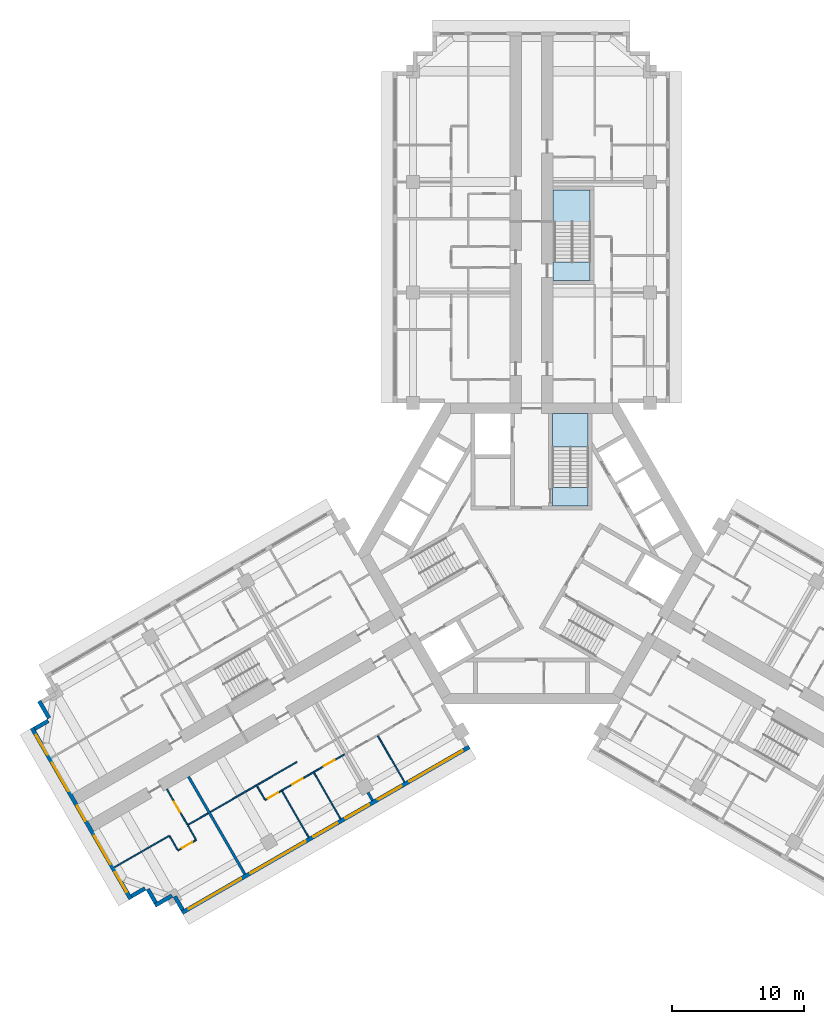
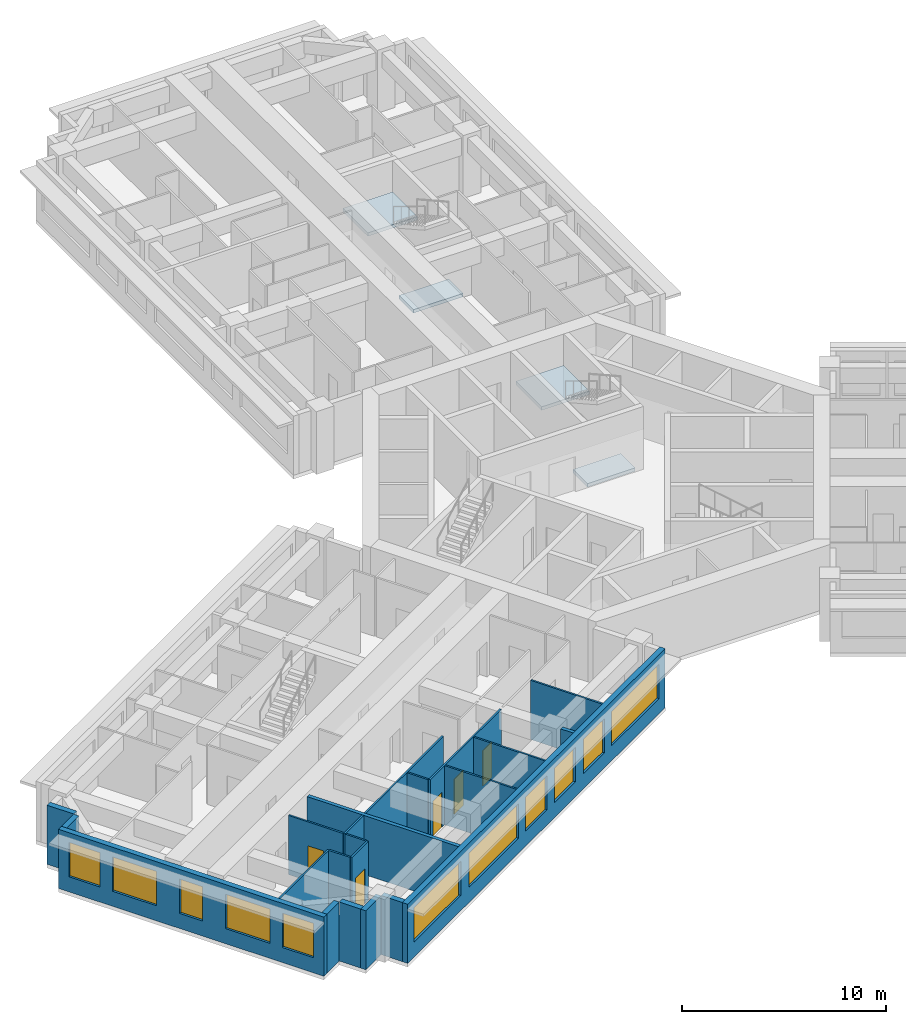
# One storey, part 2 of 14: 22 walls, 11 windows, 5 doors, 4 slabs, 16 openings, 2 elements without a shape of their own.
"""IFC4 building model written with IfcOpenShell, lengths in metres."""

from ifc_helpers import new_model, si_unit, direction, frame, frame_2d, origin, place, context, subcontext, project, spatial, polyline, rectangle, outline, extrude, material, layer, layer_set, type_object, element, fill, aggregate, save


model = new_model("IFC4")

# Units and contexts
model_context = context("Model", 3, precision=1e-05, world=origin(), true_north=direction((0.0, 1.0)))
body_context = subcontext(model_context, "Body", "Model", "MODEL_VIEW")
ifc_project = project(units=[si_unit("LENGTHUNIT", "METRE"), si_unit("AREAUNIT", "SQUARE_METRE"), si_unit("VOLUMEUNIT", "CUBIC_METRE"), si_unit("PLANEANGLEUNIT", "RADIAN"), si_unit("MASSUNIT", "GRAM", prefix="KILO")], contexts=[model_context])

# Site, building, storey
site_placement = place(None, origin())
site = spatial("IfcSite", under=ifc_project, at=site_placement, CompositionType="ELEMENT")
building_placement = place(site_placement, origin())
building = spatial("IfcBuilding", under=site, at=building_placement, Name="Impinga Residences", CompositionType="ELEMENT")
storey_placement = place(building_placement, frame((0.0, 0.0, 147.25)))
storey = spatial("IfcBuildingStorey", under=building, at=storey_placement, Name="L36", CompositionType="ELEMENT", Elevation=147.25)

# Stair, slabs
ifc_material_1 = material(Name="Concrete C40/50", Category="concrete")
stair_type_1 = type_object("IfcStairType", Name="STR core stair 3750 storey, 24 risers", PredefinedType="HALF_TURN_STAIR", material=ifc_material_1)
stair_1_placement = place(storey_placement, origin())
stair_1 = element("IfcStair", 1, at=stair_1_placement, inside=storey, type_object=stair_type_1, Name="Stair ST1 L36", PredefinedType="HALF_TURN_STAIR")
ifc_layer_1 = layer(ifc_material_1, 0.199951171875)
ifc_layer_set_1 = layer_set([ifc_layer_1], Name="Concrete C40/50")
slab_type = type_object("IfcSlabType", Name="LS1 stair landing 200", PredefinedType="LANDING", material=ifc_layer_set_1)
slab_1_placement = place(storey_placement, frame((0.0, 0.0, -0.199951171875)))
slab_1 = element("IfcSlab", 2, at=slab_1_placement, type_object=slab_type, Name="ST1 landing 1", PredefinedType="LANDING", context=body_context, shape_type="SweptSolid", body=[
    extrude(outline(polyline([(1.60009765625, 3.6298828125), (4.300048828125, 3.6298828125), (4.300048828125, 5.0400390625), (1.60009765625, 5.0400390625), (1.60009765625, 3.6298828125)])), origin(), (0.0, 0.0, 1.0), 0.199951171875),
])
slab_2_placement = place(storey_placement, frame((0.0, 0.0, 1.675048828125)))
slab_2 = element("IfcSlab", 3, at=slab_2_placement, type_object=slab_type, Name="ST1 landing 2", PredefinedType="LANDING", context=body_context, shape_type="SweptSolid", body=[
    extrude(outline(polyline([(1.60009765625, 8.10009765625), (4.300048828125, 8.10009765625), (4.300048828125, 10.631591796875), (1.60009765625, 10.631591796875), (1.60009765625, 8.10009765625)])), origin(), (0.0, 0.0, 1.0), 0.199951171875),
])
aggregate(stair_1, [slab_1, slab_2])

stair_type_2 = type_object("IfcStairType", Name="STR wing stair 3750 storey, 24 risers", PredefinedType="HALF_TURN_STAIR", material=ifc_material_1)
stair_2_placement = place(storey_placement, origin())
stair_2 = element("IfcStair", 4, at=stair_2_placement, inside=storey, type_object=stair_type_2, Name="Stair WS1 L36", PredefinedType="HALF_TURN_STAIR")
slab_3_placement = place(storey_placement, frame((0.0, 0.0, -0.199951171875)))
slab_3 = element("IfcSlab", 5, at=slab_3_placement, type_object=slab_type, Name="WS1 landing 1", PredefinedType="LANDING", context=body_context, shape_type="SweptSolid", body=[
    extrude(outline(polyline([(1.64990234375, 20.7314453125), (4.449951171875, 20.7314453125), (4.449951171875, 22.1416015625), (1.64990234375, 22.1416015625), (1.64990234375, 20.7314453125)])), origin(), (0.0, 0.0, 1.0), 0.199951171875),
])
slab_4_placement = place(storey_placement, frame((0.0, 0.0, 1.675048828125)))
slab_4 = element("IfcSlab", 6, at=slab_4_placement, type_object=slab_type, Name="WS1 landing 2", PredefinedType="LANDING", context=body_context, shape_type="SweptSolid", body=[
    extrude(outline(polyline([(1.64990234375, 25.201416015625), (4.449951171875, 25.201416015625), (4.449951171875, 27.631591796875), (1.64990234375, 27.631591796875), (1.64990234375, 25.201416015625)])), origin(), (0.0, 0.0, 1.0), 0.199951171875),
])
aggregate(stair_2, [slab_3, slab_4])

# Wall, openings, windows
ifc_material_2 = material(Name="Terracotta rainscreen on blockwork", Category="masonry")
ifc_layer_2 = layer(ifc_material_2, 0.300048828125)
ifc_layer_set_2 = layer_set([ifc_layer_2], Name="EW1 external wall, terracotta rainscreen on blockwork 300")
wall_type_1 = type_object("IfcWallType", Name="EW1 external wall, terracotta rainscreen on blockwork 300", PredefinedType="SOLIDWALL", material=ifc_layer_set_2)
wall_1_placement = place(storey_placement, frame((-4.72509765625, -14.67919921875, 0.0), z_axis=(0.0, 0.0, 1.0), x_axis=(-0.866026832479, -0.499997525421, 0.0)))
wall_1 = element("IfcWall", 7, at=wall_1_placement, inside=storey, type_object=wall_type_1, Name="External wall EW1 L36", PredefinedType="SOLIDWALL", context=body_context, shape_type="SweptSolid", body=[
    extrude(rectangle(XDim=25.199951171875, YDim=0.300048828125, at=frame_2d((12.60009765625, 0.0))), origin(), (0.0, 0.0, 1.0), 3.530029296875),
])
opening_1_placement = place(wall_1_placement, frame((0.60009765625, 0.0, 0.89990234375)))
opening_1 = element("IfcOpeningElement", 8, at=opening_1_placement, cuts=wall_1, Name="Opening W10", PredefinedType="OPENING", context=body_context, shape_type="SweptSolid", body=[
    extrude(rectangle(XDim=4.64990234375, YDim=2.050048828125, at=frame_2d((2.324951171875, 1.02490234375))), frame((0.0, 0.159912109375, 0.0), z_axis=(0.0, -1.0, 0.0), x_axis=(1.0, 0.0, 0.0)), (0.0, 0.0, 1.0), 0.320068359375),
])
opening_2_placement = place(wall_1_placement, frame((5.949951171875, 0.0, 0.89990234375)))
opening_2 = element("IfcOpeningElement", 9, at=opening_2_placement, cuts=wall_1, Name="Opening W14", PredefinedType="OPENING", context=body_context, shape_type="SweptSolid", body=[
    extrude(rectangle(XDim=2.050048828125, YDim=2.050048828125, at=frame_2d((1.02490234375, 1.02490234375))), frame((0.0, 0.159912109375, 0.0), z_axis=(0.0, -1.0, 0.0), x_axis=(1.0, 0.0, 0.0)), (0.0, 0.0, 1.0), 0.320068359375),
])
opening_3_placement = place(wall_1_placement, frame((8.800048828125, 0.0, 0.89990234375)))
opening_3 = element("IfcOpeningElement", 10, at=opening_3_placement, cuts=wall_1, Name="Opening W14", PredefinedType="OPENING", context=body_context, shape_type="SweptSolid", body=[
    extrude(rectangle(XDim=2.050048828125, YDim=2.050048828125, at=frame_2d((1.02490234375, 1.02490234375))), frame((0.0, 0.159912109375, 0.0), z_axis=(0.0, -1.0, 0.0), x_axis=(1.0, 0.0, 0.0)), (0.0, 0.0, 1.0), 0.320068359375),
])
opening_4_placement = place(wall_1_placement, frame((11.550048828125, 0.0, 0.89990234375)))
opening_4 = element("IfcOpeningElement", 11, at=opening_4_placement, cuts=wall_1, Name="Opening W9", PredefinedType="OPENING", context=body_context, shape_type="SweptSolid", body=[
    extrude(rectangle(XDim=2.10009765625, YDim=2.050048828125, at=frame_2d((1.050048828125, 1.02490234375))), frame((0.0, 0.159912109375, 0.0), z_axis=(0.0, -1.0, 0.0), x_axis=(1.0, 0.0, 0.0)), (0.0, 0.0, 1.0), 0.320068359375),
])
opening_5_placement = place(wall_1_placement, frame((14.35009765625, 0.0, 0.89990234375)))
opening_5 = element("IfcOpeningElement", 12, at=opening_5_placement, cuts=wall_1, Name="Opening W6", PredefinedType="OPENING", context=body_context, shape_type="SweptSolid", body=[
    extrude(rectangle(XDim=4.85009765625, YDim=2.050048828125, at=frame_2d((2.425048828125, 1.02490234375))), frame((0.0, 0.159912109375, 0.0), z_axis=(0.0, -1.0, 0.0), x_axis=(1.0, 0.0, 0.0)), (0.0, 0.0, 1.0), 0.320068359375),
])
opening_6_placement = place(wall_1_placement, frame((20.0, 0.0, 0.89990234375)))
opening_6 = element("IfcOpeningElement", 13, at=opening_6_placement, cuts=wall_1, Name="Opening W3", PredefinedType="OPENING", context=body_context, shape_type="SweptSolid", body=[
    extrude(rectangle(XDim=4.60009765625, YDim=2.050048828125, at=frame_2d((2.300048828125, 1.02490234375))), frame((0.0, 0.159912109375, 0.0), z_axis=(0.0, -1.0, 0.0), x_axis=(1.0, 0.0, 0.0)), (0.0, 0.0, 1.0), 0.320068359375),
])
ifc_material_3 = material(Name="Aluminium window, clear double glazing", Category="aluminium")
window_type_1 = type_object("IfcWindowType", Name="W10 ribbon window 4650x2050", PartitioningType="SINGLE_PANEL", PredefinedType="WINDOW", material=ifc_material_3)
window_1_placement = place(opening_1_placement, origin())
window_1 = element("IfcWindow", 14, at=window_1_placement, inside=storey, type_object=window_type_1, Name="Window L36", OverallHeight=2.050048828125, OverallWidth=4.64990234375, PartitioningType="SINGLE_PANEL", PredefinedType="WINDOW", context=body_context, shape_type="SweptSolid", body=[
    extrude(rectangle(XDim=4.64990234375, YDim=2.050048828125, at=frame_2d((2.324951171875, 1.02490234375))), frame((0.0, 0.030029296875, 0.0), z_axis=(0.0, -1.0, 0.0), x_axis=(1.0, 0.0, 0.0)), (0.0, 0.0, 1.0), 0.06005859375),
])
fill(opening_1, window_1)
window_type_2 = type_object("IfcWindowType", Name="W14 ribbon window 2050x2050", PartitioningType="SINGLE_PANEL", PredefinedType="WINDOW", material=ifc_material_3)
window_2_placement = place(opening_2_placement, origin())
window_2 = element("IfcWindow", 15, at=window_2_placement, inside=storey, type_object=window_type_2, Name="Window L36", OverallHeight=2.050048828125, OverallWidth=2.050048828125, PartitioningType="SINGLE_PANEL", PredefinedType="WINDOW", context=body_context, shape_type="SweptSolid", body=[
    extrude(rectangle(XDim=2.050048828125, YDim=2.050048828125, at=frame_2d((1.02490234375, 1.02490234375))), frame((0.0, 0.030029296875, 0.0), z_axis=(0.0, -1.0, 0.0), x_axis=(1.0, 0.0, 0.0)), (0.0, 0.0, 1.0), 0.06005859375),
])
fill(opening_2, window_2)
window_3_placement = place(opening_3_placement, origin())
window_3 = element("IfcWindow", 16, at=window_3_placement, inside=storey, type_object=window_type_2, Name="Window L36", OverallHeight=2.050048828125, OverallWidth=2.050048828125, PartitioningType="SINGLE_PANEL", PredefinedType="WINDOW", context=body_context, shape_type="SweptSolid", body=[
    extrude(rectangle(XDim=2.050048828125, YDim=2.050048828125, at=frame_2d((1.02490234375, 1.02490234375))), frame((0.0, 0.030029296875, 0.0), z_axis=(0.0, -1.0, 0.0), x_axis=(1.0, 0.0, 0.0)), (0.0, 0.0, 1.0), 0.06005859375),
])
fill(opening_3, window_3)
window_type_3 = type_object("IfcWindowType", Name="W3 ribbon window 4600x2050", PartitioningType="SINGLE_PANEL", PredefinedType="WINDOW", material=ifc_material_3)
window_4_placement = place(opening_6_placement, origin())
window_4 = element("IfcWindow", 17, at=window_4_placement, inside=storey, type_object=window_type_3, Name="Window L36", OverallHeight=2.050048828125, OverallWidth=4.60009765625, PartitioningType="SINGLE_PANEL", PredefinedType="WINDOW", context=body_context, shape_type="SweptSolid", body=[
    extrude(rectangle(XDim=4.60009765625, YDim=2.050048828125, at=frame_2d((2.300048828125, 1.02490234375))), frame((0.0, 0.030029296875, 0.0), z_axis=(0.0, -1.0, 0.0), x_axis=(1.0, 0.0, 0.0)), (0.0, 0.0, 1.0), 0.06005859375),
])
fill(opening_6, window_4)
window_type_4 = type_object("IfcWindowType", Name="W6 ribbon window 4850x2050", PartitioningType="SINGLE_PANEL", PredefinedType="WINDOW", material=ifc_material_3)
window_5_placement = place(opening_5_placement, origin())
window_5 = element("IfcWindow", 18, at=window_5_placement, inside=storey, type_object=window_type_4, Name="Window L36", OverallHeight=2.050048828125, OverallWidth=4.85009765625, PartitioningType="SINGLE_PANEL", PredefinedType="WINDOW", context=body_context, shape_type="SweptSolid", body=[
    extrude(rectangle(XDim=4.85009765625, YDim=2.050048828125, at=frame_2d((2.425048828125, 1.02490234375))), frame((0.0, 0.030029296875, 0.0), z_axis=(0.0, -1.0, 0.0), x_axis=(1.0, 0.0, 0.0)), (0.0, 0.0, 1.0), 0.06005859375),
])
fill(opening_5, window_5)
window_type_5 = type_object("IfcWindowType", Name="W9 ribbon window 2100x2050", PartitioningType="SINGLE_PANEL", PredefinedType="WINDOW", material=ifc_material_3)
window_6_placement = place(opening_4_placement, origin())
window_6 = element("IfcWindow", 19, at=window_6_placement, inside=storey, type_object=window_type_5, Name="Window L36", OverallHeight=2.050048828125, OverallWidth=2.10009765625, PartitioningType="SINGLE_PANEL", PredefinedType="WINDOW", context=body_context, shape_type="SweptSolid", body=[
    extrude(rectangle(XDim=2.10009765625, YDim=2.050048828125, at=frame_2d((1.050048828125, 1.02490234375))), frame((0.0, 0.030029296875, 0.0), z_axis=(0.0, -1.0, 0.0), x_axis=(1.0, 0.0, 0.0)), (0.0, 0.0, 1.0), 0.06005859375),
])
fill(opening_4, window_6)

# Walls
wall_2_placement = place(storey_placement, frame((-26.493896484375, -27.07421875, 0.0), z_axis=(0.0, 0.0, 1.0), x_axis=(-0.500033551112, 0.866006032174, 0.0)))
element("IfcWall", 20, at=wall_2_placement, inside=storey, type_object=wall_type_1, Name="External wall EW1 L36", PredefinedType="SOLIDWALL", context=body_context, shape_type="SweptSolid", body=[
    extrude(rectangle(XDim=1.2001953125, YDim=0.300048828125, at=frame_2d((0.60009765625, 0.0))), origin(), (0.0, 0.0, 1.0), 3.530029296875),
])
wall_3_placement = place(storey_placement, frame((-27.30322265625, -25.982666015625, 0.0), z_axis=(0.0, 0.0, 1.0), x_axis=(-0.866074087889, -0.499915667175, 0.0)))
element("IfcWall", 21, at=wall_3_placement, inside=storey, type_object=wall_type_1, Name="External wall EW1 L36", PredefinedType="SOLIDWALL", context=body_context, shape_type="SweptSolid", body=[
    extrude(rectangle(XDim=1.494873046875, YDim=0.300048828125, at=frame_2d((0.74755859375, 0.0))), origin(), (0.0, 0.0, 1.0), 3.530029296875),
])
wall_4_placement = place(storey_placement, frame((-28.54296875, -26.525146484375, 0.0), z_axis=(0.0, 0.0, 1.0), x_axis=(-0.500033551112, 0.866006032174, 0.0)))
element("IfcWall", 22, at=wall_4_placement, inside=storey, type_object=wall_type_1, Name="External wall EW1 L36", PredefinedType="SOLIDWALL", context=body_context, shape_type="SweptSolid", body=[
    extrude(rectangle(XDim=1.2001953125, YDim=0.300048828125, at=frame_2d((0.60009765625, 0.0))), origin(), (0.0, 0.0, 1.0), 3.530029296875),
])
wall_5_placement = place(storey_placement, frame((-29.352294921875, -25.43359375, 0.0), z_axis=(0.0, 0.0, 1.0), x_axis=(-0.866059708757, -0.499940577336, 0.0)))
element("IfcWall", 23, at=wall_5_placement, inside=storey, type_object=wall_type_1, Name="External wall EW1 L36", PredefinedType="SOLIDWALL", context=body_context, shape_type="SweptSolid", body=[
    extrude(rectangle(XDim=1.195068359375, YDim=0.300048828125, at=frame_2d((0.59765625, 0.0))), origin(), (0.0, 0.0, 1.0), 3.530029296875),
])

# Wall, openings, windows
wall_6_placement = place(storey_placement, frame((-30.44189453125, -26.23583984375, 0.0), z_axis=(0.0, 0.0, 1.0), x_axis=(-0.500004234368, 0.866022959057, 0.0)))
wall_6 = element("IfcWall", 24, at=wall_6_placement, inside=storey, type_object=wall_type_1, Name="External wall EW1 L36", PredefinedType="SOLIDWALL", context=body_context, shape_type="SweptSolid", body=[
    extrude(rectangle(XDim=14.999755859375, YDim=0.300048828125, at=frame_2d((7.5, 0.0))), origin(), (0.0, 0.0, 1.0), 3.530029296875),
])
opening_7_placement = place(wall_6_placement, frame((0.60009765625, 0.0, 0.89990234375)))
opening_7 = element("IfcOpeningElement", 25, at=opening_7_placement, cuts=wall_6, Name="Opening W1", PredefinedType="OPENING", context=body_context, shape_type="SweptSolid", body=[
    extrude(rectangle(XDim=1.75, YDim=2.050048828125, at=frame_2d((0.875, 1.02490234375))), frame((0.0, 0.159912109375, 0.0), z_axis=(0.0, -1.0, 0.0), x_axis=(1.0, 0.0, 0.0)), (0.0, 0.0, 1.0), 0.320068359375),
])
opening_8_placement = place(wall_6_placement, frame((3.050048828125, 0.0, 0.89990234375)))
opening_8 = element("IfcOpeningElement", 26, at=opening_8_placement, cuts=wall_6, Name="Opening W2", PredefinedType="OPENING", context=body_context, shape_type="SweptSolid", body=[
    extrude(rectangle(XDim=2.5, YDim=2.050048828125, at=frame_2d((1.25, 1.02490234375))), frame((0.0, 0.159912109375, 0.0), z_axis=(0.0, -1.0, 0.0), x_axis=(1.0, 0.0, 0.0)), (0.0, 0.0, 1.0), 0.320068359375),
])
opening_9_placement = place(wall_6_placement, frame((6.85009765625, 0.0, 0.89990234375)))
opening_9 = element("IfcOpeningElement", 27, at=opening_9_placement, cuts=wall_6, Name="Opening W17", PredefinedType="OPENING", context=body_context, shape_type="SweptSolid", body=[
    extrude(rectangle(XDim=1.300048828125, YDim=2.050048828125, at=frame_2d((0.64990234375, 1.02490234375))), frame((0.0, 0.159912109375, 0.0), z_axis=(0.0, -1.0, 0.0), x_axis=(1.0, 0.0, 0.0)), (0.0, 0.0, 1.0), 0.320068359375),
])
opening_10_placement = place(wall_6_placement, frame((9.449951171875, 0.0, 0.89990234375)))
opening_10 = element("IfcOpeningElement", 28, at=opening_10_placement, cuts=wall_6, Name="Opening W2", PredefinedType="OPENING", context=body_context, shape_type="SweptSolid", body=[
    extrude(rectangle(XDim=2.5, YDim=2.050048828125, at=frame_2d((1.25, 1.02490234375))), frame((0.0, 0.159912109375, 0.0), z_axis=(0.0, -1.0, 0.0), x_axis=(1.0, 0.0, 0.0)), (0.0, 0.0, 1.0), 0.320068359375),
])
opening_11_placement = place(wall_6_placement, frame((12.64990234375, 0.0, 0.89990234375)))
opening_11 = element("IfcOpeningElement", 29, at=opening_11_placement, cuts=wall_6, Name="Opening W1", PredefinedType="OPENING", context=body_context, shape_type="SweptSolid", body=[
    extrude(rectangle(XDim=1.75, YDim=2.050048828125, at=frame_2d((0.875, 1.02490234375))), frame((0.0, 0.159912109375, 0.0), z_axis=(0.0, -1.0, 0.0), x_axis=(1.0, 0.0, 0.0)), (0.0, 0.0, 1.0), 0.320068359375),
])
window_type_6 = type_object("IfcWindowType", Name="W1 ribbon window 1750x2050", PartitioningType="SINGLE_PANEL", PredefinedType="WINDOW", material=ifc_material_3)
window_7_placement = place(opening_7_placement, origin())
window_7 = element("IfcWindow", 30, at=window_7_placement, inside=storey, type_object=window_type_6, Name="Window L36", OverallHeight=2.050048828125, OverallWidth=1.75, PartitioningType="SINGLE_PANEL", PredefinedType="WINDOW", context=body_context, shape_type="SweptSolid", body=[
    extrude(rectangle(XDim=1.75, YDim=2.050048828125, at=frame_2d((0.875, 1.02490234375))), frame((0.0, 0.030029296875, 0.0), z_axis=(0.0, -1.0, 0.0), x_axis=(1.0, 0.0, 0.0)), (0.0, 0.0, 1.0), 0.06005859375),
])
fill(opening_7, window_7)
window_8_placement = place(opening_11_placement, origin())
window_8 = element("IfcWindow", 31, at=window_8_placement, inside=storey, type_object=window_type_6, Name="Window L36", OverallHeight=2.050048828125, OverallWidth=1.75, PartitioningType="SINGLE_PANEL", PredefinedType="WINDOW", context=body_context, shape_type="SweptSolid", body=[
    extrude(rectangle(XDim=1.75, YDim=2.050048828125, at=frame_2d((0.875, 1.02490234375))), frame((0.0, 0.030029296875, 0.0), z_axis=(0.0, -1.0, 0.0), x_axis=(1.0, 0.0, 0.0)), (0.0, 0.0, 1.0), 0.06005859375),
])
fill(opening_11, window_8)
window_type_7 = type_object("IfcWindowType", Name="W17 ribbon window 1300x2050", PartitioningType="SINGLE_PANEL", PredefinedType="WINDOW", material=ifc_material_3)
window_9_placement = place(opening_9_placement, origin())
window_9 = element("IfcWindow", 32, at=window_9_placement, inside=storey, type_object=window_type_7, Name="Window L36", OverallHeight=2.050048828125, OverallWidth=1.300048828125, PartitioningType="SINGLE_PANEL", PredefinedType="WINDOW", context=body_context, shape_type="SweptSolid", body=[
    extrude(rectangle(XDim=1.300048828125, YDim=2.050048828125, at=frame_2d((0.64990234375, 1.02490234375))), frame((0.0, 0.030029296875, 0.0), z_axis=(0.0, -1.0, 0.0), x_axis=(1.0, 0.0, 0.0)), (0.0, 0.0, 1.0), 0.06005859375),
])
fill(opening_9, window_9)
window_type_8 = type_object("IfcWindowType", Name="W2 ribbon window 2500x2050", PartitioningType="SINGLE_PANEL", PredefinedType="WINDOW", material=ifc_material_3)
window_10_placement = place(opening_8_placement, origin())
window_10 = element("IfcWindow", 33, at=window_10_placement, inside=storey, type_object=window_type_8, Name="Window L36", OverallHeight=2.050048828125, OverallWidth=2.5, PartitioningType="SINGLE_PANEL", PredefinedType="WINDOW", context=body_context, shape_type="SweptSolid", body=[
    extrude(rectangle(XDim=2.5, YDim=2.050048828125, at=frame_2d((1.25, 1.02490234375))), frame((0.0, 0.030029296875, 0.0), z_axis=(0.0, -1.0, 0.0), x_axis=(1.0, 0.0, 0.0)), (0.0, 0.0, 1.0), 0.06005859375),
])
fill(opening_8, window_10)
window_11_placement = place(opening_10_placement, origin())
window_11 = element("IfcWindow", 34, at=window_11_placement, inside=storey, type_object=window_type_8, Name="Window L36", OverallHeight=2.050048828125, OverallWidth=2.5, PartitioningType="SINGLE_PANEL", PredefinedType="WINDOW", context=body_context, shape_type="SweptSolid", body=[
    extrude(rectangle(XDim=2.5, YDim=2.050048828125, at=frame_2d((1.25, 1.02490234375))), frame((0.0, 0.030029296875, 0.0), z_axis=(0.0, -1.0, 0.0), x_axis=(1.0, 0.0, 0.0)), (0.0, 0.0, 1.0), 0.06005859375),
])
fill(opening_10, window_11)

# Walls
wall_7_placement = place(storey_placement, frame((-37.737060546875, -13.300537109375, 0.0), z_axis=(0.0, 0.0, 1.0), x_axis=(0.865971243484, 0.500093796661, 0.0)))
element("IfcWall", 35, at=wall_7_placement, inside=storey, type_object=wall_type_1, Name="External wall EW1 L36", PredefinedType="SOLIDWALL", context=body_context, shape_type="SweptSolid", body=[
    extrude(rectangle(XDim=1.195068359375, YDim=0.300048828125, at=frame_2d((0.59765625, 0.0))), origin(), (0.0, 0.0, 1.0), 3.530029296875),
])
wall_8_placement = place(storey_placement, frame((-36.64306640625, -12.49560546875, 0.0), z_axis=(0.0, 0.0, 1.0), x_axis=(-0.499990139034, 0.866031096941, 0.0)))
element("IfcWall", 36, at=wall_8_placement, inside=storey, type_object=wall_type_1, Name="External wall EW1 L36", PredefinedType="SOLIDWALL", context=body_context, shape_type="SweptSolid", body=[
    extrude(rectangle(XDim=1.5, YDim=0.300048828125, at=frame_2d((0.75, 0.0))), origin(), (0.0, 0.0, 1.0), 3.530029296875),
])
ifc_material_4 = material(Name="Gypsum board on steel studs", Category="steel")
ifc_layer_3 = layer(ifc_material_4, 0.10009765625)
ifc_layer_set_3 = layer_set([ifc_layer_3], Name="Gypsum board on steel studs")
wall_type_2 = type_object("IfcWallType", Name="IP1 partition 100", PredefinedType="PARTITIONING", material=ifc_layer_set_3)
wall_9_placement = place(storey_placement, frame((-11.6748046875, -13.841796875, 0.0), z_axis=(0.0, 0.0, 1.0), x_axis=(0.500035537042, -0.866004885491, 0.0)))
element("IfcWall", 37, at=wall_9_placement, inside=storey, type_object=wall_type_2, Name="Partition L36-WA1:OB1", PredefinedType="PARTITIONING", context=body_context, shape_type="SweptSolid", body=[
    extrude(rectangle(XDim=4.050048828125, YDim=0.10009765625, at=frame_2d((2.02490234375, 0.0))), origin(), (0.0, 0.0, 1.0), 3.530029296875),
])
wall_10_placement = place(storey_placement, frame((-17.8056640625, -15.82275390625, 0.0), z_axis=(0.0, 0.0, 1.0), x_axis=(-0.866022425744, -0.500005158081, 0.0)))
element("IfcWall", 38, at=wall_10_placement, inside=storey, type_object=wall_type_2, Name="Partition L36-WA2:DIV1", PredefinedType="PARTITIONING", context=body_context, shape_type="SweptSolid", body=[
    extrude(rectangle(XDim=7.60009765625, YDim=0.10009765625, at=frame_2d((3.800048828125, 0.0))), origin(), (0.0, 0.0, 1.0), 3.530029296875),
])

# Wall, openings, doors
wall_11_placement = place(storey_placement, frame((-14.211181640625, -15.24853515625, 0.0), z_axis=(0.0, 0.0, 1.0), x_axis=(-0.866016523273, -0.500015381182, 0.0)))
wall_11 = element("IfcWall", 39, at=wall_11_placement, inside=storey, type_object=wall_type_2, Name="Partition L36-WA2:STRIP", PredefinedType="PARTITIONING", context=body_context, shape_type="SweptSolid", body=[
    extrude(rectangle(XDim=6.949951171875, YDim=0.10009765625, at=frame_2d((3.47509765625, 0.0))), origin(), (0.0, 0.0, 1.0), 3.530029296875),
])
opening_12_placement = place(wall_11_placement, frame((0.875, 0.0, 0.0)))
opening_12 = element("IfcOpeningElement", 40, at=opening_12_placement, cuts=wall_11, Name="Opening D2", PredefinedType="OPENING", context=body_context, shape_type="SweptSolid", body=[
    extrude(rectangle(XDim=0.89990234375, YDim=2.10009765625, at=frame_2d((0.449951171875, 1.050048828125))), frame((0.0, 0.06005859375, 0.0), z_axis=(0.0, -1.0, 0.0), x_axis=(1.0, 0.0, 0.0)), (0.0, 0.0, 1.0), 0.1201171875),
])
opening_13_placement = place(wall_11_placement, frame((3.64990234375, 0.0, 0.0)))
opening_13 = element("IfcOpeningElement", 41, at=opening_13_placement, cuts=wall_11, Name="Opening D2", PredefinedType="OPENING", context=body_context, shape_type="SweptSolid", body=[
    extrude(rectangle(XDim=0.89990234375, YDim=2.10009765625, at=frame_2d((0.449951171875, 1.050048828125))), frame((0.0, 0.06005859375, 0.0), z_axis=(0.0, -1.0, 0.0), x_axis=(1.0, 0.0, 0.0)), (0.0, 0.0, 1.0), 0.1201171875),
])
opening_14_placement = place(wall_11_placement, frame((5.800048828125, 0.0, 0.0)))
opening_14 = element("IfcOpeningElement", 42, at=opening_14_placement, cuts=wall_11, Name="Opening D2", PredefinedType="OPENING", context=body_context, shape_type="SweptSolid", body=[
    extrude(rectangle(XDim=0.89990234375, YDim=2.10009765625, at=frame_2d((0.449951171875, 1.050048828125))), frame((0.0, 0.06005859375, 0.0), z_axis=(0.0, -1.0, 0.0), x_axis=(1.0, 0.0, 0.0)), (0.0, 0.0, 1.0), 0.1201171875),
])
ifc_material_5 = material(Name="Timber door set", Category="wood")
door_type = type_object("IfcDoorType", Name="D2 internal door 900x2100", OperationType="SINGLE_SWING_LEFT", PredefinedType="DOOR", material=ifc_material_5)
door_1_placement = place(opening_12_placement, origin())
door_1 = element("IfcDoor", 43, at=door_1_placement, inside=storey, type_object=door_type, Name="Apartment L36-WA2 room door", OperationType="SINGLE_SWING_LEFT", OverallHeight=2.10009765625, OverallWidth=0.89990234375, PredefinedType="DOOR", context=body_context, shape_type="SweptSolid", body=[
    extrude(rectangle(XDim=0.89990234375, YDim=2.10009765625, at=frame_2d((0.449951171875, 1.050048828125))), frame((0.0, 0.02490234375, 0.0), z_axis=(0.0, -1.0, 0.0), x_axis=(1.0, 0.0, 0.0)), (0.0, 0.0, 1.0), 0.050048828125),
])
fill(opening_12, door_1)
door_2_placement = place(opening_13_placement, origin())
door_2 = element("IfcDoor", 44, at=door_2_placement, inside=storey, type_object=door_type, Name="Apartment L36-WA2 room door", OperationType="SINGLE_SWING_RIGHT", OverallHeight=2.10009765625, OverallWidth=0.89990234375, PredefinedType="DOOR", context=body_context, shape_type="SweptSolid", body=[
    extrude(rectangle(XDim=0.89990234375, YDim=2.10009765625, at=frame_2d((0.449951171875, 1.050048828125))), frame((0.0, 0.02490234375, 0.0), z_axis=(0.0, -1.0, 0.0), x_axis=(1.0, 0.0, 0.0)), (0.0, 0.0, 1.0), 0.050048828125),
])
fill(opening_13, door_2)
door_3_placement = place(opening_14_placement, origin())
door_3 = element("IfcDoor", 45, at=door_3_placement, inside=storey, type_object=door_type, Name="Apartment L36-WA2 room door", OperationType="SINGLE_SWING_RIGHT", OverallHeight=2.10009765625, OverallWidth=0.89990234375, PredefinedType="DOOR", context=body_context, shape_type="SweptSolid", body=[
    extrude(rectangle(XDim=0.89990234375, YDim=2.10009765625, at=frame_2d((0.449951171875, 1.050048828125))), frame((0.0, 0.02490234375, 0.0), z_axis=(0.0, -1.0, 0.0), x_axis=(1.0, 0.0, 0.0)), (0.0, 0.0, 1.0), 0.050048828125),
])
fill(opening_14, door_3)

# Walls
wall_12_placement = place(storey_placement, frame((-20.85498046875, -17.640869140625, 0.0), z_axis=(0.0, 0.0, 1.0), x_axis=(0.499880961361, -0.866094119867, 0.0)))
element("IfcWall", 46, at=wall_12_placement, inside=storey, type_object=wall_type_2, Name="Partition L36-WA2:SE1", PredefinedType="PARTITIONING", context=body_context, shape_type="SweptSolid", body=[
    extrude(rectangle(XDim=1.199951171875, YDim=0.10009765625, at=frame_2d((0.60009765625, 0.0))), origin(), (0.0, 0.0, 1.0), 3.530029296875),
])
wall_13_placement = place(storey_placement, frame((-16.5244140625, -16.641845703125, 0.0), z_axis=(0.0, 0.0, 1.0), x_axis=(0.499990325971, -0.866030989016, 0.0)))
element("IfcWall", 47, at=wall_13_placement, inside=storey, type_object=wall_type_2, Name="Partition L36-WA2:OB1", PredefinedType="PARTITIONING", context=body_context, shape_type="SweptSolid", body=[
    extrude(rectangle(XDim=4.0498046875, YDim=0.10009765625, at=frame_2d((2.02490234375, 0.0))), origin(), (0.0, 0.0, 1.0), 3.530029296875),
])
wall_14_placement = place(storey_placement, frame((-18.949462890625, -18.041748046875, 0.0), z_axis=(0.0, 0.0, 1.0), x_axis=(0.50000943426, -0.866019956843, 0.0)))
element("IfcWall", 48, at=wall_14_placement, inside=storey, type_object=wall_type_2, Name="Partition L36-WA2:OB2", PredefinedType="PARTITIONING", context=body_context, shape_type="SweptSolid", body=[
    extrude(rectangle(XDim=4.05029296875, YDim=0.10009765625, at=frame_2d((2.025146484375, 0.0))), origin(), (0.0, 0.0, 1.0), 3.530029296875),
])
wall_15_placement = place(storey_placement, frame((-24.560791015625, -19.72265625, 0.0), z_axis=(0.0, 0.0, 1.0), x_axis=(-0.865989075817, -0.500062916607, 0.0)))
element("IfcWall", 49, at=wall_15_placement, inside=storey, type_object=wall_type_2, Name="Partition L36-WA3:DIV0", PredefinedType="PARTITIONING", context=body_context, shape_type="SweptSolid", body=[
    extrude(rectangle(XDim=1.800048828125, YDim=0.10009765625, at=frame_2d((0.89990234375, 0.0))), origin(), (0.0, 0.0, 1.0), 3.530029296875),
])
wall_16_placement = place(storey_placement, frame((-27.505126953125, -21.422607421875, 0.0), z_axis=(0.0, 0.0, 1.0), x_axis=(-0.866015339567, -0.500017431331, 0.0)))
element("IfcWall", 50, at=wall_16_placement, inside=storey, type_object=wall_type_2, Name="Partition L36-WA3:DIV1", PredefinedType="PARTITIONING", context=body_context, shape_type="SweptSolid", body=[
    extrude(rectangle(XDim=4.800048828125, YDim=0.10009765625, at=frame_2d((2.39990234375, 0.0))), origin(), (0.0, 0.0, 1.0), 3.530029296875),
])

# Wall, opening, door
wall_17_placement = place(storey_placement, frame((-25.469482421875, -21.74853515625, 0.0), z_axis=(0.0, 0.0, 1.0), x_axis=(-0.866028054938, -0.499995408039, 0.0)))
wall_17 = element("IfcWall", 51, at=wall_17_placement, inside=storey, type_object=wall_type_2, Name="Partition L36-WA3:STRIP", PredefinedType="PARTITIONING", context=body_context, shape_type="SweptSolid", body=[
    extrude(rectangle(XDim=1.60009765625, YDim=0.10009765625, at=frame_2d((0.800048828125, 0.0))), origin(), (0.0, 0.0, 1.0), 3.530029296875),
])
opening_15_placement = place(wall_17_placement, frame((0.35009765625, 0.0, 0.0)))
opening_15 = element("IfcOpeningElement", 52, at=opening_15_placement, cuts=wall_17, Name="Opening D2", PredefinedType="OPENING", context=body_context, shape_type="SweptSolid", body=[
    extrude(rectangle(XDim=0.89990234375, YDim=2.10009765625, at=frame_2d((0.449951171875, 1.050048828125))), frame((0.0, 0.06005859375, 0.0), z_axis=(0.0, -1.0, 0.0), x_axis=(1.0, 0.0, 0.0)), (0.0, 0.0, 1.0), 0.1201171875),
])
door_4_placement = place(opening_15_placement, origin())
door_4 = element("IfcDoor", 53, at=door_4_placement, inside=storey, type_object=door_type, Name="Apartment L36-WA3 room door", OperationType="SINGLE_SWING_LEFT", OverallHeight=2.10009765625, OverallWidth=0.89990234375, PredefinedType="DOOR", context=body_context, shape_type="SweptSolid", body=[
    extrude(rectangle(XDim=0.89990234375, YDim=2.10009765625, at=frame_2d((0.449951171875, 1.050048828125))), frame((0.0, 0.02490234375, 0.0), z_axis=(0.0, -1.0, 0.0), x_axis=(1.0, 0.0, 0.0)), (0.0, 0.0, 1.0), 0.050048828125),
])
fill(opening_15, door_4)

# Walls
for number, where, z_axis, x_axis, name in (
    (54, (-26.094482421875, -20.666015625, 0.0), (0.0, 0.0, 1.0), (0.499880961361, -0.866094119867, 0.0), "Partition L36-WA3:SE0"),
    (55, (-27.480224609375, -21.466064453125, 0.0), (0.0, 0.0, 1.0), (0.50012165622, -0.865955154139, 0.0), "Partition L36-WA3:SE1"),
):
    element("IfcWall", number, at=place(storey_placement, frame(where, z_axis=z_axis, x_axis=x_axis)), inside=storey, type_object=wall_type_2, Name=name, PredefinedType="PARTITIONING", context=body_context, shape_type="SweptSolid", body=[
        extrude(rectangle(XDim=1.199951171875, YDim=0.10009765625, at=frame_2d((0.60009765625, 0.0))), origin(), (0.0, 0.0, 1.0), 3.530029296875),
    ])

# Wall, opening, door
wall_18_placement = place(storey_placement, frame((-27.694580078125, -17.894775390625, 0.0), z_axis=(0.0, 0.0, 1.0), x_axis=(0.500026960575, -0.86600983753, 0.0)))
wall_18 = element("IfcWall", 56, at=wall_18_placement, inside=storey, type_object=wall_type_2, Name="Partition L36-WA3:IB1", PredefinedType="PARTITIONING", context=body_context, shape_type="SweptSolid", body=[
    extrude(rectangle(XDim=3.099853515625, YDim=0.10009765625, at=frame_2d((1.5498046875, 0.0))), origin(), (0.0, 0.0, 1.0), 3.530029296875),
])
opening_16_placement = place(wall_18_placement, frame((1.10009765625, 0.0, 0.0)))
opening_16 = element("IfcOpeningElement", 57, at=opening_16_placement, cuts=wall_18, Name="Opening D2", PredefinedType="OPENING", context=body_context, shape_type="SweptSolid", body=[
    extrude(rectangle(XDim=0.89990234375, YDim=2.10009765625, at=frame_2d((0.449951171875, 1.050048828125))), frame((0.0, 0.06005859375, 0.0), z_axis=(0.0, -1.0, 0.0), x_axis=(1.0, 0.0, 0.0)), (0.0, 0.0, 1.0), 0.1201171875),
])
door_5_placement = place(opening_16_placement, origin())
door_5 = element("IfcDoor", 58, at=door_5_placement, inside=storey, type_object=door_type, Name="Apartment L36-WA3 bathroom door", OperationType="SINGLE_SWING_LEFT", OverallHeight=2.10009765625, OverallWidth=0.89990234375, PredefinedType="DOOR", context=body_context, shape_type="SweptSolid", body=[
    extrude(rectangle(XDim=0.89990234375, YDim=2.10009765625, at=frame_2d((0.449951171875, 1.050048828125))), frame((0.0, 0.02490234375, 0.0), z_axis=(0.0, -1.0, 0.0), x_axis=(1.0, 0.0, 0.0)), (0.0, 0.0, 1.0), 0.050048828125),
])
fill(opening_16, door_5)

# Walls
ifc_material_6 = material(Name="Concrete blockwork", Category="masonry")
ifc_layer_4 = layer(ifc_material_6, 0.199951171875)
ifc_layer_set_4 = layer_set([ifc_layer_4], Name="PW1 party wall between apartments 200")
wall_type_3 = type_object("IfcWallType", Name="PW1 party wall between apartments 200", PredefinedType="SOLIDWALL", material=ifc_layer_set_4)
wall_19_placement = place(storey_placement, frame((-12.424560546875, -18.14306640625, 0.0), z_axis=(0.0, 0.0, 1.0), x_axis=(0.499853302173, -0.866110083249, 0.0)))
element("IfcWall", 59, at=wall_19_placement, inside=storey, type_object=wall_type_3, Name="Party wall between apartments L36-WA1:PARTYb", PredefinedType="SOLIDWALL", context=body_context, shape_type="SweptSolid", body=[
    extrude(rectangle(XDim=0.699951171875, YDim=0.199951171875, at=frame_2d((0.35009765625, 0.0))), origin(), (0.0, 0.0, 1.0), 3.530029296875),
])
wall_20_placement = place(storey_placement, frame((-26.049072265625, -16.94482421875, 0.0), z_axis=(0.0, 0.0, 1.0), x_axis=(0.500002592159, -0.866023907196, 0.0)))
element("IfcWall", 60, at=wall_20_placement, inside=storey, type_object=wall_type_3, Name="Party wall between apartments L36-WA2:PARTY", PredefinedType="SOLIDWALL", context=body_context, shape_type="SweptSolid", body=[
    extrude(rectangle(XDim=8.5498046875, YDim=0.199951171875, at=frame_2d((4.27490234375, 0.0))), origin(), (0.0, 0.0, 1.0), 3.530029296875),
])

save(model, "model.ifc")
